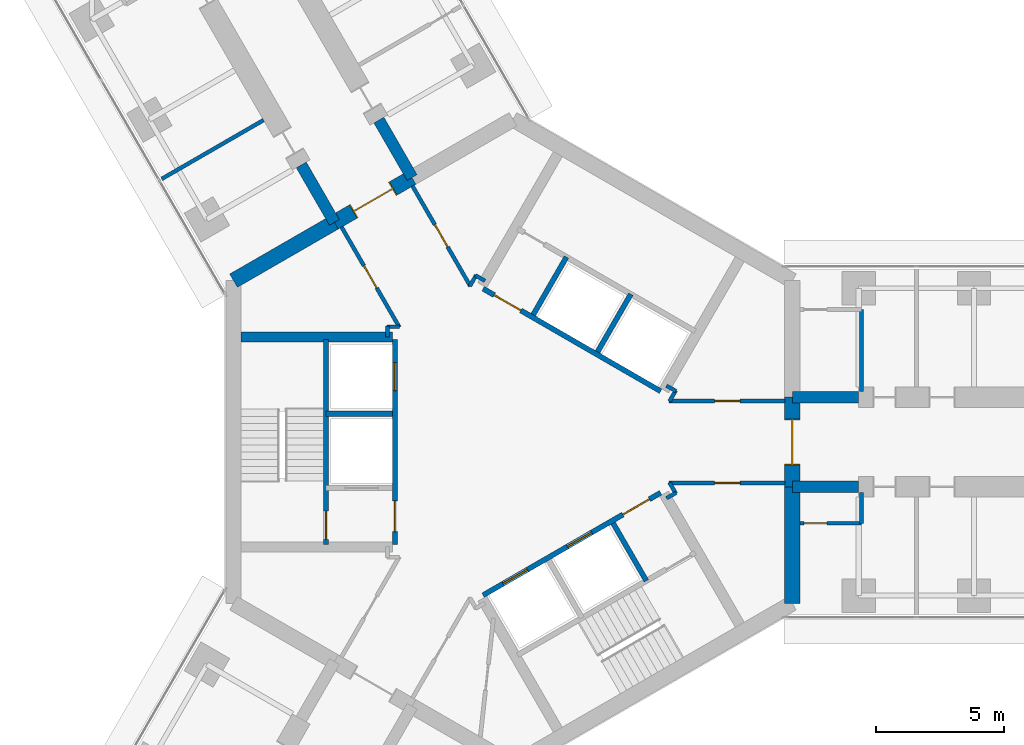
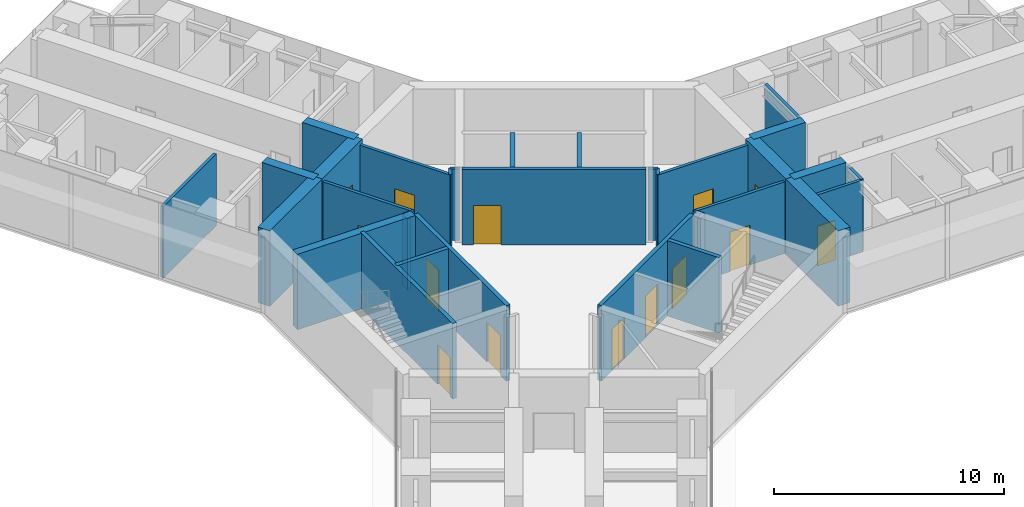
# One storey, part 16 of 22: 33 walls, 14 doors, 14 openings.
"""IFC4 building model written with IfcOpenShell, lengths in metres."""

from ifc_helpers import new_model, si_unit, direction, frame, frame_2d, origin, place, context, subcontext, project, spatial, rectangle, extrude, material, layer, layer_set, type_object, element, fill, save


model = new_model("IFC4")

# Units and contexts
model_context = context("Model", 3, precision=1e-05, world=origin(), true_north=direction((0.0, 1.0)))
body_context = subcontext(model_context, "Body", "Model", "MODEL_VIEW")
ifc_project = project(units=[si_unit("LENGTHUNIT", "METRE"), si_unit("AREAUNIT", "SQUARE_METRE"), si_unit("VOLUMEUNIT", "CUBIC_METRE"), si_unit("PLANEANGLEUNIT", "RADIAN"), si_unit("MASSUNIT", "GRAM", prefix="KILO")], contexts=[model_context])

# Site, building, storey
site_placement = place(None, origin())
site = spatial("IfcSite", under=ifc_project, at=site_placement, CompositionType="ELEMENT")
building_placement = place(site_placement, origin())
building = spatial("IfcBuilding", under=site, at=building_placement, Name="Upepo Twin Towers", CompositionType="ELEMENT")
storey_placement = place(building_placement, frame((0.0, 0.0, 129.5)))
storey = spatial("IfcBuildingStorey", under=building, at=storey_placement, Name="L31", CompositionType="ELEMENT", Elevation=129.5)

# Walls
ifc_material_1 = material(Name="Concrete C60/75", Category="concrete")
ifc_layer_1 = layer(ifc_material_1, 0.449951171875)
ifc_layer_set_1 = layer_set([ifc_layer_1], Name="Concrete C60/75")
wall_type_1 = type_object("IfcWallType", Name="Buttress wall 450 RC", PredefinedType="SHEAR", material=ifc_layer_set_1)
for number, where, z_axis, x_axis, name in (
    (1, (10.908447265625, 1.75, 0.0), (0.0, 0.0, 1.0), (1.0, 0.0, 0.0), "T1 wing A buttress wall L"),
    (2, (10.908447265625, -1.75, 0.0), (0.0, 0.0, 1.0), (1.0, 0.0, 0.0), "T1 wing A buttress wall R"),
):
    element("IfcWall", number, at=place(storey_placement, frame(where, z_axis=z_axis, x_axis=x_axis)), inside=storey, type_object=wall_type_1, Name=name, PredefinedType="SHEAR", context=body_context, shape_type="SweptSolid", body=[
        extrude(rectangle(XDim=2.591552734375, YDim=0.449951171875, at=frame_2d((1.2958984375, 0.0))), origin(), (0.0, 0.0, 1.0), 4.0),
    ])
for number, where, z_axis, x_axis, name in (
    (3, (-6.9697265625, 8.57177734375, 0.0), (0.0, 0.0, 1.0), (-0.499988811324, 0.866031863473, 0.0), "T1 wing B buttress wall L"),
    (4, (-3.938720703125, 10.32177734375, 0.0), (0.0, 0.0, 1.0), (-0.499918158782, 0.866072649678, 0.0), "T1 wing B buttress wall R"),
):
    element("IfcWall", number, at=place(storey_placement, frame(where, z_axis=z_axis, x_axis=x_axis)), inside=storey, type_object=wall_type_1, Name=name, PredefinedType="SHEAR", context=body_context, shape_type="SweptSolid", body=[
        extrude(rectangle(XDim=2.591796875, YDim=0.449951171875, at=frame_2d((1.2958984375, 0.0))), origin(), (0.0, 0.0, 1.0), 4.0),
    ])
ifc_material_2 = material(Name="Concrete C60/75", Category="concrete")
ifc_layer_2 = layer(ifc_material_2, 0.60009765625)
ifc_layer_set_2 = layer_set([ifc_layer_2], Name="Concrete C60/75")
wall_type_2 = type_object("IfcWallType", Name="Core wall 600 RC", PredefinedType="SHEAR", material=ifc_layer_set_2)
wall_1_placement = place(storey_placement, frame((10.908447265625, -6.2978515625, 0.0), z_axis=(0.0, 0.0, 1.0), x_axis=(0.0, 1.0, 0.0)))
element("IfcWall", 5, at=wall_1_placement, inside=storey, type_object=wall_type_2, Name="T1 core wall 000 R", PredefinedType="SHEAR", context=body_context, shape_type="SweptSolid", body=[
    extrude(rectangle(XDim=4.5478515625, YDim=0.60009765625, at=frame_2d((2.27392578125, 0.0))), origin(), (0.0, 0.0, 1.0), 4.0),
])

# Wall, opening, door
wall_2_placement = place(storey_placement, frame((10.908447265625, -1.75, 0.0), z_axis=(0.0, 0.0, 1.0), x_axis=(0.0, 1.0, 0.0)))
wall_2 = element("IfcWall", 6, at=wall_2_placement, inside=storey, type_object=wall_type_2, Name="T1 core wall 000", PredefinedType="SHEAR", context=body_context, shape_type="SweptSolid", body=[
    extrude(rectangle(XDim=3.5, YDim=0.60009765625, at=frame_2d((1.75, 0.0))), origin(), (0.0, 0.0, 1.0), 4.0),
])
opening_1_placement = place(wall_2_placement, frame((0.85009765625, 0.0, 0.0)))
opening_1 = element("IfcOpeningElement", 7, at=opening_1_placement, cuts=wall_2, Name="Opening D2", PredefinedType="OPENING", context=body_context, shape_type="SweptSolid", body=[
    extrude(rectangle(XDim=1.800048828125, YDim=2.10009765625, at=frame_2d((0.89990234375, 1.050048828125))), frame((0.0, 0.31005859375, 0.0), z_axis=(0.0, -1.0, 0.0), x_axis=(1.0, 0.0, 0.0)), (0.0, 0.0, 1.0), 0.6201171875),
])
ifc_material_3 = material(Name="Timber doorset", Category="wood")
door_type_1 = type_object("IfcDoorType", Name="Corridor double door 1800 FD60", OperationType="DOUBLE_DOOR_DOUBLE_SWING", PredefinedType="DOOR", material=ifc_material_3)
door_1_placement = place(opening_1_placement, origin())
door_1 = element("IfcDoor", 8, at=door_1_placement, inside=storey, type_object=door_type_1, Name="T1 L31 wing A corridor door", OperationType="DOUBLE_DOOR_DOUBLE_SWING", OverallHeight=2.10009765625, OverallWidth=1.800048828125, PredefinedType="DOOR", context=body_context, shape_type="SweptSolid", body=[
    extrude(rectangle(XDim=1.720048828125, YDim=2.06009765625, at=frame_2d((0.89990234375, 1.030029296875))), frame((0.0, 0.02490234375, 0.0), z_axis=(0.0, -1.0, 0.0), x_axis=(1.0, 0.0, 0.0)), (0.0, 0.0, 1.0), 0.050048828125),
    extrude(rectangle(XDim=0.04, YDim=2.10009765625, at=frame_2d((0.02001953125, 1.050048828125))), frame((0.0, 0.2998046875, 0.0), z_axis=(0.0, -1.0, 0.0), x_axis=(1.0, 0.0, 0.0)), (0.0, 0.0, 1.0), 0.599609375),
    extrude(rectangle(XDim=0.04, YDim=2.10009765625, at=frame_2d((1.780029296875, 1.050048828125))), frame((0.0, 0.2998046875, 0.0), z_axis=(0.0, -1.0, 0.0), x_axis=(1.0, 0.0, 0.0)), (0.0, 0.0, 1.0), 0.599609375),
    extrude(rectangle(XDim=1.720048828125, YDim=0.04, at=frame_2d((0.89990234375, 2.080078125))), frame((0.0, 0.2998046875, 0.0), z_axis=(0.0, -1.0, 0.0), x_axis=(1.0, 0.0, 0.0)), (0.0, 0.0, 1.0), 0.599609375),
])
fill(opening_1, door_1)

wall_3_placement = place(storey_placement, frame((-3.938720703125, 10.32177734375, 0.0), z_axis=(0.0, 0.0, 1.0), x_axis=(-0.866019471182, -0.500010275428, 0.0)))
wall_3 = element("IfcWall", 9, at=wall_3_placement, inside=storey, type_object=wall_type_2, Name="T1 core wall 120", PredefinedType="SHEAR", context=body_context, shape_type="SweptSolid", body=[
    extrude(rectangle(XDim=3.5, YDim=0.60009765625, at=frame_2d((1.75, 0.0))), origin(), (0.0, 0.0, 1.0), 4.0),
])
opening_2_placement = place(wall_3_placement, frame((0.85009765625, 0.0, 0.0)))
opening_2 = element("IfcOpeningElement", 10, at=opening_2_placement, cuts=wall_3, Name="Opening D2", PredefinedType="OPENING", context=body_context, shape_type="SweptSolid", body=[
    extrude(rectangle(XDim=1.800048828125, YDim=2.10009765625, at=frame_2d((0.89990234375, 1.050048828125))), frame((0.0, 0.31005859375, 0.0), z_axis=(0.0, -1.0, 0.0), x_axis=(1.0, 0.0, 0.0)), (0.0, 0.0, 1.0), 0.6201171875),
])
door_2_placement = place(opening_2_placement, origin())
door_2 = element("IfcDoor", 11, at=door_2_placement, inside=storey, type_object=door_type_1, Name="T1 L31 wing B corridor door", OperationType="DOUBLE_DOOR_DOUBLE_SWING", OverallHeight=2.10009765625, OverallWidth=1.800048828125, PredefinedType="DOOR", context=body_context, shape_type="SweptSolid", body=[
    extrude(rectangle(XDim=1.720048828125, YDim=2.06009765625, at=frame_2d((0.89990234375, 1.030029296875))), frame((0.0, 0.02490234375, 0.0), z_axis=(0.0, -1.0, 0.0), x_axis=(1.0, 0.0, 0.0)), (0.0, 0.0, 1.0), 0.050048828125),
    extrude(rectangle(XDim=0.04, YDim=2.10009765625, at=frame_2d((0.02001953125, 1.050048828125))), frame((0.0, 0.2998046875, 0.0), z_axis=(0.0, -1.0, 0.0), x_axis=(1.0, 0.0, 0.0)), (0.0, 0.0, 1.0), 0.599609375),
    extrude(rectangle(XDim=0.04, YDim=2.10009765625, at=frame_2d((1.780029296875, 1.050048828125))), frame((0.0, 0.2998046875, 0.0), z_axis=(0.0, -1.0, 0.0), x_axis=(1.0, 0.0, 0.0)), (0.0, 0.0, 1.0), 0.599609375),
    extrude(rectangle(XDim=1.720048828125, YDim=0.04, at=frame_2d((0.89990234375, 2.080078125))), frame((0.0, 0.2998046875, 0.0), z_axis=(0.0, -1.0, 0.0), x_axis=(1.0, 0.0, 0.0)), (0.0, 0.0, 1.0), 0.599609375),
])
fill(opening_2, door_2)

# Wall
wall_4_placement = place(storey_placement, frame((-6.9697265625, 8.57177734375, 0.0), z_axis=(0.0, 0.0, 1.0), x_axis=(-0.866034513004, -0.499984222037, 0.0)))
element("IfcWall", 12, at=wall_4_placement, inside=storey, type_object=wall_type_2, Name="T1 core wall 120 L", PredefinedType="SHEAR", context=body_context, shape_type="SweptSolid", body=[
    extrude(rectangle(XDim=4.548095703125, YDim=0.60009765625, at=frame_2d((2.27392578125, 0.0))), origin(), (0.0, 0.0, 1.0), 4.0),
])

# Wall, opening, door
ifc_material_4 = material(Name="Concrete C40/50", Category="concrete")
ifc_layer_3 = layer(ifc_material_4, 0.199951171875)
ifc_layer_set_3 = layer_set([ifc_layer_3], Name="Concrete C40/50")
wall_type_3 = type_object("IfcWallType", Name="Shaft wall 200 RC", PredefinedType="SHEAR", material=ifc_layer_set_3)
wall_5_placement = place(storey_placement, frame((5.76416015625, 1.983642578125, 0.0), z_axis=(0.0, 0.0, 1.0), x_axis=(-0.866026010844, 0.49999894854, 0.0)))
wall_5 = element("IfcWall", 13, at=wall_5_placement, inside=storey, type_object=wall_type_3, Name="T1 core W60 front wall", PredefinedType="SHEAR", context=body_context, shape_type="SweptSolid", body=[
    extrude(rectangle(XDim=8.0, YDim=0.199951171875, at=frame_2d((4.0, 0.0))), origin(), (0.0, 0.0, 1.0), 4.0),
])
opening_3_placement = place(wall_5_placement, frame((6.300048828125, 0.0, 0.0)))
opening_3 = element("IfcOpeningElement", 14, at=opening_3_placement, cuts=wall_5, Name="Opening D4", PredefinedType="OPENING", context=body_context, shape_type="SweptSolid", body=[
    extrude(rectangle(XDim=1.199951171875, YDim=2.10009765625, at=frame_2d((0.60009765625, 1.050048828125))), frame((0.0, 0.10986328125, 0.0), z_axis=(0.0, -1.0, 0.0), x_axis=(1.0, 0.0, 0.0)), (0.0, 0.0, 1.0), 0.219970703125),
])
ifc_material_5 = material(Name="Timber doorset", Category="wood")
door_type_2 = type_object("IfcDoorType", Name="Lobby door 1200 FD60", OperationType="SINGLE_SWING_LEFT", PredefinedType="DOOR", material=ifc_material_5)
door_3_placement = place(opening_3_placement, origin())
door_3 = element("IfcDoor", 15, at=door_3_placement, inside=storey, type_object=door_type_2, Name="T1 L31 W60 lobby door", OperationType="SINGLE_SWING_RIGHT", OverallHeight=2.10009765625, OverallWidth=1.199951171875, PredefinedType="DOOR", context=body_context, shape_type="SweptSolid", body=[
    extrude(rectangle(XDim=1.199951171875, YDim=2.10009765625, at=frame_2d((0.60009765625, 1.050048828125))), frame((0.0, 0.02490234375, 0.0), z_axis=(0.0, -1.0, 0.0), x_axis=(1.0, 0.0, 0.0)), (0.0, 0.0, 1.0), 0.050048828125),
])
fill(opening_3, door_3)

# Walls
for number, where, z_axis, x_axis, name in (
    (16, (3.302734375, 3.520263671875, 0.0), (0.0, 0.0, 1.0), (0.499936506574, 0.866062058628, 0.0), "T1 core W60 shaft divider"),
    (17, (0.791259765625, 4.97021484375, 0.0), (0.0, 0.0, 1.0), (0.499936506574, 0.866062058628, 0.0), "T1 core W60 lobby wall"),
):
    element("IfcWall", number, at=place(storey_placement, frame(where, z_axis=z_axis, x_axis=x_axis)), inside=storey, type_object=wall_type_3, Name=name, PredefinedType="SHEAR", context=body_context, shape_type="SweptSolid", body=[
        extrude(rectangle(XDim=2.599853515625, YDim=0.199951171875, at=frame_2d((1.2998046875, 0.0))), origin(), (0.0, 0.0, 1.0), 4.0),
    ])

# Wall, openings, doors
wall_6_placement = place(storey_placement, frame((-4.60009765625, 4.0, 0.0), z_axis=(0.0, 0.0, 1.0), x_axis=(0.0, -1.0, 0.0)))
wall_6 = element("IfcWall", 18, at=wall_6_placement, inside=storey, type_object=wall_type_3, Name="T1 core W180 front wall", PredefinedType="SHEAR", context=body_context, shape_type="SweptSolid", body=[
    extrude(rectangle(XDim=8.0, YDim=0.199951171875, at=frame_2d((4.0, 0.0))), origin(), (0.0, 0.0, 1.0), 4.0),
])
opening_4_placement = place(wall_6_placement, frame((6.300048828125, 0.0, 0.0)))
opening_4 = element("IfcOpeningElement", 19, at=opening_4_placement, cuts=wall_6, Name="Opening D4", PredefinedType="OPENING", context=body_context, shape_type="SweptSolid", body=[
    extrude(rectangle(XDim=1.199951171875, YDim=2.10009765625, at=frame_2d((0.60009765625, 1.050048828125))), frame((0.0, 0.10986328125, 0.0), z_axis=(0.0, -1.0, 0.0), x_axis=(1.0, 0.0, 0.0)), (0.0, 0.0, 1.0), 0.219970703125),
])
opening_5_placement = place(wall_6_placement, frame((0.89990234375, 0.0, 0.0)))
opening_5 = element("IfcOpeningElement", 20, at=opening_5_placement, cuts=wall_6, Name="Opening LD1", PredefinedType="OPENING", context=body_context, shape_type="SweptSolid", body=[
    extrude(rectangle(XDim=1.10009765625, YDim=2.199951171875, at=frame_2d((0.550048828125, 1.10009765625))), frame((0.0, 0.10986328125, 0.0), z_axis=(0.0, -1.0, 0.0), x_axis=(1.0, 0.0, 0.0)), (0.0, 0.0, 1.0), 0.219970703125),
])
ifc_material_6 = material(Name="Steel doorset", Category="steel")
door_type_3 = type_object("IfcDoorType", Name="Lift landing door 1100", OperationType="DOUBLE_DOOR_SLIDING", PredefinedType="DOOR", material=ifc_material_6)
door_4_placement = place(opening_5_placement, origin())
door_4 = element("IfcDoor", 21, at=door_4_placement, inside=storey, type_object=door_type_3, Name="T1 L31 lift SV1 landing door", OperationType="DOUBLE_DOOR_SLIDING", OverallHeight=2.199951171875, OverallWidth=1.10009765625, PredefinedType="DOOR", context=body_context, shape_type="SweptSolid", body=[
    extrude(rectangle(XDim=1.10009765625, YDim=2.199951171875, at=frame_2d((0.550048828125, 1.10009765625))), frame((0.0, 0.02490234375, 0.0), z_axis=(0.0, -1.0, 0.0), x_axis=(1.0, 0.0, 0.0)), (0.0, 0.0, 1.0), 0.050048828125),
])
fill(opening_5, door_4)
door_5_placement = place(opening_4_placement, origin())
door_5 = element("IfcDoor", 22, at=door_5_placement, inside=storey, type_object=door_type_2, Name="T1 L31 W180 lobby door", OperationType="SINGLE_SWING_RIGHT", OverallHeight=2.10009765625, OverallWidth=1.199951171875, PredefinedType="DOOR", context=body_context, shape_type="SweptSolid", body=[
    extrude(rectangle(XDim=1.199951171875, YDim=2.10009765625, at=frame_2d((0.60009765625, 1.050048828125))), frame((0.0, 0.02490234375, 0.0), z_axis=(0.0, -1.0, 0.0), x_axis=(1.0, 0.0, 0.0)), (0.0, 0.0, 1.0), 0.050048828125),
])
fill(opening_4, door_5)

# Wall
wall_7_placement = place(storey_placement, frame((-4.699951171875, 1.10009765625, 0.0), z_axis=(0.0, 0.0, 1.0), x_axis=(-1.0, 0.0, 0.0)))
element("IfcWall", 23, at=wall_7_placement, inside=storey, type_object=wall_type_3, Name="T1 core W180 shaft divider", PredefinedType="SHEAR", context=body_context, shape_type="SweptSolid", body=[
    extrude(rectangle(XDim=2.60009765625, YDim=0.199951171875, at=frame_2d((1.300048828125, 0.0))), origin(), (0.0, 0.0, 1.0), 4.0),
])

# Wall, opening, door
wall_8_placement = place(storey_placement, frame((-7.300048828125, 4.0, 0.0), z_axis=(0.0, 0.0, 1.0), x_axis=(0.0, -1.0, 0.0)))
wall_8 = element("IfcWall", 24, at=wall_8_placement, inside=storey, type_object=wall_type_3, Name="T1 core W180 stair wall", PredefinedType="SHEAR", context=body_context, shape_type="SweptSolid", body=[
    extrude(rectangle(XDim=8.0, YDim=0.199951171875, at=frame_2d((4.0, 0.0))), origin(), (0.0, 0.0, 1.0), 4.0),
])
opening_6_placement = place(wall_8_placement, frame((6.699951171875, 0.0, 0.0)))
opening_6 = element("IfcOpeningElement", 25, at=opening_6_placement, cuts=wall_8, Name="Opening D3", PredefinedType="OPENING", context=body_context, shape_type="SweptSolid", body=[
    extrude(rectangle(XDim=1.10009765625, YDim=2.10009765625, at=frame_2d((0.550048828125, 1.050048828125))), frame((0.0, 0.10986328125, 0.0), z_axis=(0.0, -1.0, 0.0), x_axis=(1.0, 0.0, 0.0)), (0.0, 0.0, 1.0), 0.219970703125),
])
ifc_material_7 = material(Name="Timber doorset", Category="wood")
door_type_4 = type_object("IfcDoorType", Name="Stair door 1100 FD60", OperationType="SINGLE_SWING_LEFT", PredefinedType="DOOR", material=ifc_material_7)
door_6_placement = place(opening_6_placement, origin())
door_6 = element("IfcDoor", 26, at=door_6_placement, inside=storey, type_object=door_type_4, Name="T1 L31 stair door", OperationType="SINGLE_SWING_RIGHT", OverallHeight=2.10009765625, OverallWidth=1.10009765625, PredefinedType="DOOR", context=body_context, shape_type="SweptSolid", body=[
    extrude(rectangle(XDim=1.10009765625, YDim=2.10009765625, at=frame_2d((0.550048828125, 1.050048828125))), frame((0.0, 0.02490234375, 0.0), z_axis=(0.0, -1.0, 0.0), x_axis=(1.0, 0.0, 0.0)), (0.0, 0.0, 1.0), 0.050048828125),
])
fill(opening_6, door_6)

# Wall, openings, doors
wall_9_placement = place(storey_placement, frame((-1.1640625, -5.983642578125, 0.0), z_axis=(0.0, 0.0, 1.0), x_axis=(0.866026010844, 0.49999894854, 0.0)))
wall_9 = element("IfcWall", 27, at=wall_9_placement, inside=storey, type_object=wall_type_3, Name="T1 core W300 front wall", PredefinedType="SHEAR", context=body_context, shape_type="SweptSolid", body=[
    extrude(rectangle(XDim=8.0, YDim=0.199951171875, at=frame_2d((4.0, 0.0))), origin(), (0.0, 0.0, 1.0), 4.0),
])
opening_7_placement = place(wall_9_placement, frame((6.300048828125, 0.0, 0.0)))
opening_7 = element("IfcOpeningElement", 28, at=opening_7_placement, cuts=wall_9, Name="Opening D4", PredefinedType="OPENING", context=body_context, shape_type="SweptSolid", body=[
    extrude(rectangle(XDim=1.199951171875, YDim=2.10009765625, at=frame_2d((0.60009765625, 1.050048828125))), frame((0.0, 0.10986328125, 0.0), z_axis=(0.0, -1.0, 0.0), x_axis=(1.0, 0.0, 0.0)), (0.0, 0.0, 1.0), 0.219970703125),
])
opening_8_placement = place(wall_9_placement, frame((0.89990234375, 0.0, 0.0)))
opening_8 = element("IfcOpeningElement", 29, at=opening_8_placement, cuts=wall_9, Name="Opening LD1", PredefinedType="OPENING", context=body_context, shape_type="SweptSolid", body=[
    extrude(rectangle(XDim=1.10009765625, YDim=2.199951171875, at=frame_2d((0.550048828125, 1.10009765625))), frame((0.0, 0.10986328125, 0.0), z_axis=(0.0, -1.0, 0.0), x_axis=(1.0, 0.0, 0.0)), (0.0, 0.0, 1.0), 0.219970703125),
])
opening_9_placement = place(wall_9_placement, frame((3.800048828125, 0.0, 0.0)))
opening_9 = element("IfcOpeningElement", 30, at=opening_9_placement, cuts=wall_9, Name="Opening LD1", PredefinedType="OPENING", context=body_context, shape_type="SweptSolid", body=[
    extrude(rectangle(XDim=1.10009765625, YDim=2.199951171875, at=frame_2d((0.550048828125, 1.10009765625))), frame((0.0, 0.10986328125, 0.0), z_axis=(0.0, -1.0, 0.0), x_axis=(1.0, 0.0, 0.0)), (0.0, 0.0, 1.0), 0.219970703125),
])
door_7_placement = place(opening_8_placement, origin())
door_7 = element("IfcDoor", 31, at=door_7_placement, inside=storey, type_object=door_type_3, Name="T1 L31 lift ML1 landing door", OperationType="DOUBLE_DOOR_SLIDING", OverallHeight=2.199951171875, OverallWidth=1.10009765625, PredefinedType="DOOR", context=body_context, shape_type="SweptSolid", body=[
    extrude(rectangle(XDim=1.10009765625, YDim=2.199951171875, at=frame_2d((0.550048828125, 1.10009765625))), frame((0.0, 0.02490234375, 0.0), z_axis=(0.0, -1.0, 0.0), x_axis=(1.0, 0.0, 0.0)), (0.0, 0.0, 1.0), 0.050048828125),
])
fill(opening_8, door_7)
door_8_placement = place(opening_9_placement, origin())
door_8 = element("IfcDoor", 32, at=door_8_placement, inside=storey, type_object=door_type_3, Name="T1 L31 lift ML2 landing door", OperationType="DOUBLE_DOOR_SLIDING", OverallHeight=2.199951171875, OverallWidth=1.10009765625, PredefinedType="DOOR", context=body_context, shape_type="SweptSolid", body=[
    extrude(rectangle(XDim=1.10009765625, YDim=2.199951171875, at=frame_2d((0.550048828125, 1.10009765625))), frame((0.0, 0.02490234375, 0.0), z_axis=(0.0, -1.0, 0.0), x_axis=(1.0, 0.0, 0.0)), (0.0, 0.0, 1.0), 0.050048828125),
])
fill(opening_9, door_8)
door_9_placement = place(opening_7_placement, origin())
door_9 = element("IfcDoor", 33, at=door_9_placement, inside=storey, type_object=door_type_2, Name="T1 L31 W300 lobby door", OperationType="SINGLE_SWING_RIGHT", OverallHeight=2.10009765625, OverallWidth=1.199951171875, PredefinedType="DOOR", context=body_context, shape_type="SweptSolid", body=[
    extrude(rectangle(XDim=1.199951171875, YDim=2.10009765625, at=frame_2d((0.60009765625, 1.050048828125))), frame((0.0, 0.02490234375, 0.0), z_axis=(0.0, -1.0, 0.0), x_axis=(1.0, 0.0, 0.0)), (0.0, 0.0, 1.0), 0.050048828125),
])
fill(opening_7, door_9)

# Walls
wall_10_placement = place(storey_placement, frame((3.908935546875, -3.17041015625, 0.0), z_axis=(0.0, 0.0, 1.0), x_axis=(0.49997716683, -0.86603858612, 0.0)))
element("IfcWall", 34, at=wall_10_placement, inside=storey, type_object=wall_type_3, Name="T1 core W300 lobby wall", PredefinedType="SHEAR", context=body_context, shape_type="SweptSolid", body=[
    extrude(rectangle(XDim=2.599609375, YDim=0.199951171875, at=frame_2d((1.2998046875, 0.0))), origin(), (0.0, 0.0, 1.0), 4.0),
])
ifc_material_8 = material(Name="Concrete C40/50", Category="concrete")
ifc_layer_4 = layer(ifc_material_8, 0.39990234375)
ifc_layer_set_4 = layer_set([ifc_layer_4], Name="Concrete C40/50")
wall_type_4 = type_object("IfcWallType", Name="Shaft wall 400 RC", PredefinedType="SHEAR", material=ifc_layer_set_4)
wall_11_placement = place(storey_placement, frame((-4.699951171875, 4.10009765625, 0.0), z_axis=(0.0, 0.0, 1.0), x_axis=(-1.0, 0.0, 0.0)))
element("IfcWall", 35, at=wall_11_placement, inside=storey, type_object=wall_type_4, Name="T1 core W180 side wall S", PredefinedType="SHEAR", context=body_context, shape_type="SweptSolid", body=[
    extrude(rectangle(XDim=5.908447265625, YDim=0.39990234375, at=frame_2d((2.9541015625, 0.0))), origin(), (0.0, 0.0, 1.0), 4.0),
])
ifc_material_9 = material(Name="Gypsum board on steel studs", Category="steel")
ifc_layer_5 = layer(ifc_material_9, 0.14990234375)
ifc_layer_set_5 = layer_set([ifc_layer_5], Name="Teaching partition 150 acoustic")
wall_type_5 = type_object("IfcWallType", Name="Teaching partition 150 acoustic", PredefinedType="PARTITIONING", material=ifc_layer_set_5)
wall_12_placement = place(storey_placement, frame((13.60791015625, 1.97509765625, 0.0), z_axis=(0.0, 0.0, 1.0), x_axis=(0.0, 1.0, 0.0)))
element("IfcWall", 36, at=wall_12_placement, inside=storey, type_object=wall_type_5, Name="T1 WC bay partition AL end at 13.61", PredefinedType="PARTITIONING", context=body_context, shape_type="SweptSolid", body=[
    extrude(rectangle(XDim=3.199951171875, YDim=0.14990234375, at=frame_2d((1.60009765625, 0.0))), origin(), (0.0, 0.0, 1.0), 3.800048828125),
])

# Wall, opening, door
wall_13_placement = place(storey_placement, frame((11.2080078125, -3.175048828125, 0.0), z_axis=(0.0, 0.0, 1.0), x_axis=(1.0, 0.0, 0.0)))
wall_13 = element("IfcWall", 37, at=wall_13_placement, inside=storey, type_object=wall_type_5, Name="T1 WC bay partition AR at 11.21", PredefinedType="PARTITIONING", context=body_context, shape_type="SweptSolid", body=[
    extrude(rectangle(XDim=2.39990234375, YDim=0.14990234375, at=frame_2d((1.199951171875, 0.0))), origin(), (0.0, 0.0, 1.0), 3.800048828125),
])
opening_10_placement = place(wall_13_placement, frame((0.14990234375, 0.0, 0.0)))
opening_10 = element("IfcOpeningElement", 38, at=opening_10_placement, cuts=wall_13, Name="Opening D14", PredefinedType="OPENING", context=body_context, shape_type="SweptSolid", body=[
    extrude(rectangle(XDim=0.89990234375, YDim=2.10009765625, at=frame_2d((0.449951171875, 1.050048828125))), frame((0.0, 0.0849609375, 0.0), z_axis=(0.0, -1.0, 0.0), x_axis=(1.0, 0.0, 0.0)), (0.0, 0.0, 1.0), 0.169921875),
])
ifc_material_10 = material(Name="Timber doorset", Category="wood")
door_type_5 = type_object("IfcDoorType", Name="Office door 900 FD30", OperationType="SINGLE_SWING_LEFT", PredefinedType="DOOR", material=ifc_material_10)
door_10_placement = place(opening_10_placement, origin())
door_10 = element("IfcDoor", 39, at=door_10_placement, inside=storey, type_object=door_type_5, Name="T1 L31 WC bay inner room door", OperationType="SINGLE_SWING_LEFT", OverallHeight=2.10009765625, OverallWidth=0.89990234375, PredefinedType="DOOR", context=body_context, shape_type="SweptSolid", body=[
    extrude(rectangle(XDim=0.89990234375, YDim=2.10009765625, at=frame_2d((0.449951171875, 1.050048828125))), frame((0.0, 0.02490234375, 0.0), z_axis=(0.0, -1.0, 0.0), x_axis=(1.0, 0.0, 0.0)), (0.0, 0.0, 1.0), 0.050048828125),
])
fill(opening_10, door_10)

# Walls
wall_14_placement = place(storey_placement, frame((13.60791015625, -1.97509765625, 0.0), z_axis=(0.0, 0.0, 1.0), x_axis=(0.0, -1.0, 0.0)))
element("IfcWall", 40, at=wall_14_placement, inside=storey, type_object=wall_type_5, Name="T1 WC bay partition AR end at 13.61", PredefinedType="PARTITIONING", context=body_context, shape_type="SweptSolid", body=[
    extrude(rectangle(XDim=1.199951171875, YDim=0.14990234375, at=frame_2d((0.60009765625, 0.0))), origin(), (0.0, 0.0, 1.0), 3.800048828125),
])
wall_15_placement = place(storey_placement, frame((-9.737060546875, 12.56494140625, 0.0), z_axis=(0.0, 0.0, 1.0), x_axis=(-0.866016770315, -0.500014953309, 0.0)))
element("IfcWall", 41, at=wall_15_placement, inside=storey, type_object=wall_type_5, Name="T1 partition BL at 15.75", PredefinedType="PARTITIONING", context=body_context, shape_type="SweptSolid", body=[
    extrude(rectangle(XDim=4.599853515625, YDim=0.14990234375, at=frame_2d((2.2998046875, 0.0))), origin(), (0.0, 0.0, 1.0), 3.800048828125),
])
for number, where, z_axis, x_axis, name in (
    (42, (6.364501953125, -1.9833984375, 0.0), (0.0, 0.0, 1.0), (-0.865892400268, -0.500230298122, 0.0), "T1 core room partition 1"),
    (43, (-4.89990234375, 4.090087890625, 0.0), (0.0, 0.0, 1.0), (0.0, 1.0, 0.0), "T1 core room partition 8"),
):
    element("IfcWall", number, at=place(storey_placement, frame(where, z_axis=z_axis, x_axis=x_axis)), inside=storey, type_object=wall_type_5, Name=name, PredefinedType="PARTITIONING", context=body_context, shape_type="SweptSolid", body=[
        extrude(rectangle(XDim=0.429931640625, YDim=0.14990234375, at=frame_2d((0.21484375, 0.0))), origin(), (0.0, 0.0, 1.0), 3.800048828125),
    ])
wall_16_placement = place(storey_placement, frame((-4.919921875, 4.5, 0.0), z_axis=(0.0, 0.0, 1.0), x_axis=(1.0, 0.0, 0.0)))
element("IfcWall", 44, at=wall_16_placement, inside=storey, type_object=wall_type_5, Name="T1 core room partition 9", PredefinedType="PARTITIONING", context=body_context, shape_type="SweptSolid", body=[
    extrude(rectangle(XDim=0.494384765625, YDim=0.14990234375, at=frame_2d((0.2470703125, 0.0))), origin(), (0.0, 0.0, 1.0), 3.800048828125),
])

# Wall, opening, door
wall_17_placement = place(storey_placement, frame((-4.435546875, 4.482666015625, 0.0), z_axis=(0.0, 0.0, 1.0), x_axis=(-0.500009315796, 0.86602002524, 0.0)))
wall_17 = element("IfcWall", 45, at=wall_17_placement, inside=storey, type_object=wall_type_5, Name="T1 core room partition 10", PredefinedType="PARTITIONING", context=body_context, shape_type="SweptSolid", body=[
    extrude(rectangle(XDim=4.5185546875, YDim=0.14990234375, at=frame_2d((2.25927734375, 0.0))), origin(), (0.0, 0.0, 1.0), 3.800048828125),
])
opening_11_placement = place(wall_17_placement, frame((1.769287109375, 0.0, 0.0)))
opening_11 = element("IfcOpeningElement", 46, at=opening_11_placement, cuts=wall_17, Name="Opening D1", PredefinedType="OPENING", context=body_context, shape_type="SweptSolid", body=[
    extrude(rectangle(XDim=1.0, YDim=2.10009765625, at=frame_2d((0.5, 1.050048828125))), frame((0.0, 0.0849609375, 0.0), z_axis=(0.0, -1.0, 0.0), x_axis=(1.0, 0.0, 0.0)), (0.0, 0.0, 1.0), 0.169921875),
])
ifc_material_11 = material(Name="Timber doorset", Category="wood")
door_type_6 = type_object("IfcDoorType", Name="Room door 1000 FD30", OperationType="SINGLE_SWING_LEFT", PredefinedType="DOOR", material=ifc_material_11)
door_11_placement = place(opening_11_placement, origin())
door_11 = element("IfcDoor", 47, at=door_11_placement, inside=storey, type_object=door_type_6, Name="T1 L31 core room door K7", OperationType="SINGLE_SWING_RIGHT", OverallHeight=2.10009765625, OverallWidth=1.0, PredefinedType="DOOR", context=body_context, shape_type="SweptSolid", body=[
    extrude(rectangle(XDim=1.0, YDim=2.10009765625, at=frame_2d((0.5, 1.050048828125))), frame((0.0, 0.02490234375, 0.0), z_axis=(0.0, -1.0, 0.0), x_axis=(1.0, 0.0, 0.0)), (0.0, 0.0, 1.0), 0.050048828125),
])
fill(opening_11, door_11)

wall_18_placement = place(storey_placement, frame((-3.923583984375, 9.99560546875, 0.0), z_axis=(0.0, 0.0, 1.0), x_axis=(0.500032713409, -0.866006515865, 0.0)))
wall_18 = element("IfcWall", 48, at=wall_18_placement, inside=storey, type_object=wall_type_5, Name="T1 core room partition 11", PredefinedType="PARTITIONING", context=body_context, shape_type="SweptSolid", body=[
    extrude(rectangle(XDim=4.518310546875, YDim=0.14990234375, at=frame_2d((2.25927734375, 0.0))), origin(), (0.0, 0.0, 1.0), 3.800048828125),
])
opening_12_placement = place(wall_18_placement, frame((1.7490234375, 0.0, 0.0)))
opening_12 = element("IfcOpeningElement", 49, at=opening_12_placement, cuts=wall_18, Name="Opening D1", PredefinedType="OPENING", context=body_context, shape_type="SweptSolid", body=[
    extrude(rectangle(XDim=1.0, YDim=2.10009765625, at=frame_2d((0.5, 1.050048828125))), frame((0.0, 0.0849609375, 0.0), z_axis=(0.0, -1.0, 0.0), x_axis=(1.0, 0.0, 0.0)), (0.0, 0.0, 1.0), 0.169921875),
])
door_12_placement = place(opening_12_placement, origin())
door_12 = element("IfcDoor", 50, at=door_12_placement, inside=storey, type_object=door_type_6, Name="T1 L31 core room door K6", OperationType="SINGLE_SWING_LEFT", OverallHeight=2.10009765625, OverallWidth=1.0, PredefinedType="DOOR", context=body_context, shape_type="SweptSolid", body=[
    extrude(rectangle(XDim=1.0, YDim=2.10009765625, at=frame_2d((0.5, 1.050048828125))), frame((0.0, 0.02490234375, 0.0), z_axis=(0.0, -1.0, 0.0), x_axis=(1.0, 0.0, 0.0)), (0.0, 0.0, 1.0), 0.050048828125),
])
fill(opening_12, door_12)

# Walls
wall_19_placement = place(storey_placement, frame((-1.684326171875, 6.082763671875, 0.0), z_axis=(0.0, 0.0, 1.0), x_axis=(0.50033519877, 0.865831790172, 0.0)))
element("IfcWall", 51, at=wall_19_placement, inside=storey, type_object=wall_type_5, Name="T1 core room partition 12", PredefinedType="PARTITIONING", context=body_context, shape_type="SweptSolid", body=[
    extrude(rectangle(XDim=0.494384765625, YDim=0.14990234375, at=frame_2d((0.2470703125, 0.0))), origin(), (0.0, 0.0, 1.0), 3.800048828125),
])
for number, where, z_axis, x_axis, name in (
    (52, (-1.46435546875, 6.50341796875, 0.0), (0.0, 0.0, 1.0), (0.866138304741, -0.499804398801, 0.0), "T1 core room partition 13"),
    (53, (5.9921875, 2.198486328125, 0.0), (0.0, 0.0, 1.0), (0.865892400268, -0.500230298122, 0.0), "T1 core room partition 14"),
):
    element("IfcWall", number, at=place(storey_placement, frame(where, z_axis=z_axis, x_axis=x_axis)), inside=storey, type_object=wall_type_5, Name=name, PredefinedType="PARTITIONING", context=body_context, shape_type="SweptSolid", body=[
        extrude(rectangle(XDim=0.429931640625, YDim=0.14990234375, at=frame_2d((0.21484375, 0.0))), origin(), (0.0, 0.0, 1.0), 3.800048828125),
    ])
wall_20_placement = place(storey_placement, frame((6.357177734375, 2.0107421875, 0.0), z_axis=(0.0, 0.0, 1.0), x_axis=(-0.50033519877, -0.865831790172, 0.0)))
element("IfcWall", 54, at=wall_20_placement, inside=storey, type_object=wall_type_5, Name="T1 core room partition 15", PredefinedType="PARTITIONING", context=body_context, shape_type="SweptSolid", body=[
    extrude(rectangle(XDim=0.494384765625, YDim=0.14990234375, at=frame_2d((0.2470703125, 0.0))), origin(), (0.0, 0.0, 1.0), 3.800048828125),
])

# Wall, opening, door
wall_21_placement = place(storey_placement, frame((6.099853515625, 1.60009765625, 0.0), z_axis=(0.0, 0.0, 1.0), x_axis=(1.0, 0.0, 0.0)))
wall_21 = element("IfcWall", 55, at=wall_21_placement, inside=storey, type_object=wall_type_5, Name="T1 core room partition 16", PredefinedType="PARTITIONING", context=body_context, shape_type="SweptSolid", body=[
    extrude(rectangle(XDim=4.5185546875, YDim=0.14990234375, at=frame_2d((2.25927734375, 0.0))), origin(), (0.0, 0.0, 1.0), 3.800048828125),
])
opening_13_placement = place(wall_21_placement, frame((1.769287109375, 0.0, 0.0)))
opening_13 = element("IfcOpeningElement", 56, at=opening_13_placement, cuts=wall_21, Name="Opening D1", PredefinedType="OPENING", context=body_context, shape_type="SweptSolid", body=[
    extrude(rectangle(XDim=1.0, YDim=2.10009765625, at=frame_2d((0.5, 1.050048828125))), frame((0.0, 0.0849609375, 0.0), z_axis=(0.0, -1.0, 0.0), x_axis=(1.0, 0.0, 0.0)), (0.0, 0.0, 1.0), 0.169921875),
])
door_13_placement = place(opening_13_placement, origin())
door_13 = element("IfcDoor", 57, at=door_13_placement, inside=storey, type_object=door_type_6, Name="T1 L31 core room door K5", OperationType="SINGLE_SWING_RIGHT", OverallHeight=2.10009765625, OverallWidth=1.0, PredefinedType="DOOR", context=body_context, shape_type="SweptSolid", body=[
    extrude(rectangle(XDim=1.0, YDim=2.10009765625, at=frame_2d((0.5, 1.050048828125))), frame((0.0, 0.02490234375, 0.0), z_axis=(0.0, -1.0, 0.0), x_axis=(1.0, 0.0, 0.0)), (0.0, 0.0, 1.0), 0.050048828125),
])
fill(opening_13, door_13)

wall_22_placement = place(storey_placement, frame((10.618408203125, -1.60009765625, 0.0), z_axis=(0.0, 0.0, 1.0), x_axis=(-1.0, 0.0, 0.0)))
wall_22 = element("IfcWall", 58, at=wall_22_placement, inside=storey, type_object=wall_type_5, Name="T1 core room partition 17", PredefinedType="PARTITIONING", context=body_context, shape_type="SweptSolid", body=[
    extrude(rectangle(XDim=4.5185546875, YDim=0.14990234375, at=frame_2d((2.25927734375, 0.0))), origin(), (0.0, 0.0, 1.0), 3.800048828125),
])
opening_14_placement = place(wall_22_placement, frame((1.7490234375, 0.0, 0.0)))
opening_14 = element("IfcOpeningElement", 59, at=opening_14_placement, cuts=wall_22, Name="Opening D1", PredefinedType="OPENING", context=body_context, shape_type="SweptSolid", body=[
    extrude(rectangle(XDim=1.0, YDim=2.10009765625, at=frame_2d((0.5, 1.050048828125))), frame((0.0, 0.0849609375, 0.0), z_axis=(0.0, -1.0, 0.0), x_axis=(1.0, 0.0, 0.0)), (0.0, 0.0, 1.0), 0.169921875),
])
door_14_placement = place(opening_14_placement, origin())
door_14 = element("IfcDoor", 60, at=door_14_placement, inside=storey, type_object=door_type_6, Name="T1 L31 core room door K4", OperationType="SINGLE_SWING_LEFT", OverallHeight=2.10009765625, OverallWidth=1.0, PredefinedType="DOOR", context=body_context, shape_type="SweptSolid", body=[
    extrude(rectangle(XDim=1.0, YDim=2.10009765625, at=frame_2d((0.5, 1.050048828125))), frame((0.0, 0.02490234375, 0.0), z_axis=(0.0, -1.0, 0.0), x_axis=(1.0, 0.0, 0.0)), (0.0, 0.0, 1.0), 0.050048828125),
])
fill(opening_14, door_14)

# Wall
wall_23_placement = place(storey_placement, frame((6.10986328125, -1.582763671875, 0.0), z_axis=(0.0, 0.0, 1.0), x_axis=(0.50033519877, -0.865831790172, 0.0)))
element("IfcWall", 61, at=wall_23_placement, inside=storey, type_object=wall_type_5, Name="T1 core room partition 18", PredefinedType="PARTITIONING", context=body_context, shape_type="SweptSolid", body=[
    extrude(rectangle(XDim=0.494384765625, YDim=0.14990234375, at=frame_2d((0.2470703125, 0.0))), origin(), (0.0, 0.0, 1.0), 3.800048828125),
])

save(model, "model.ifc")
